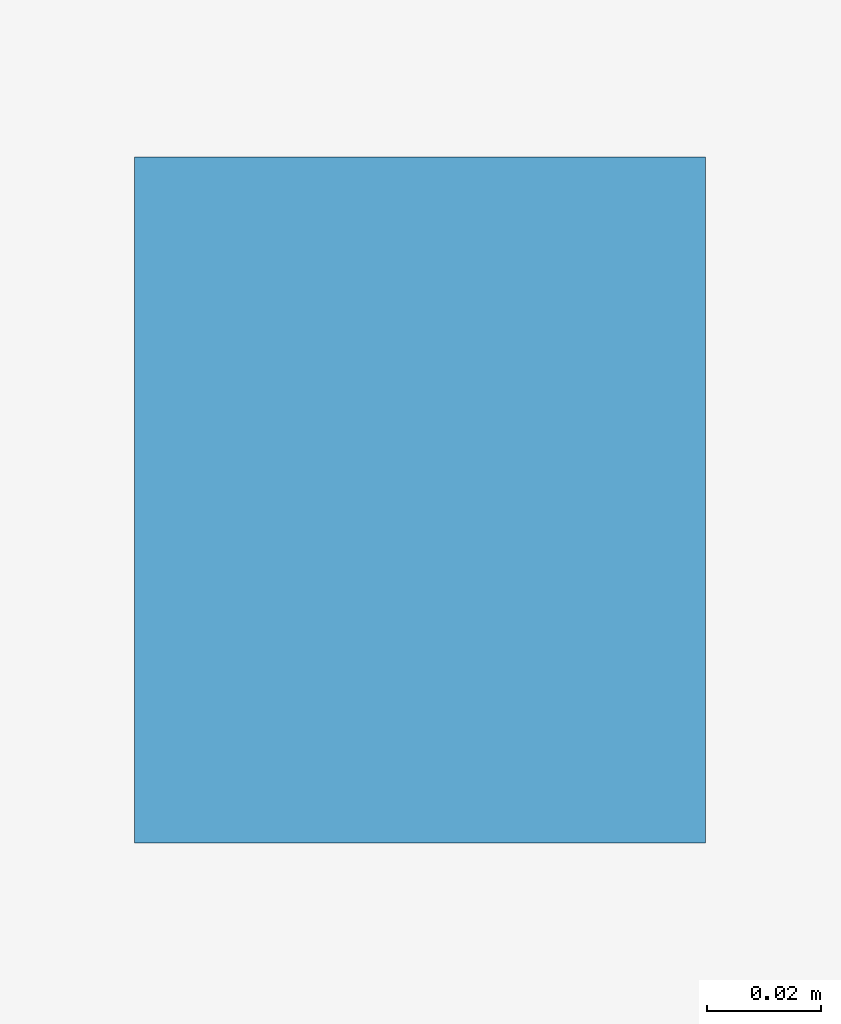
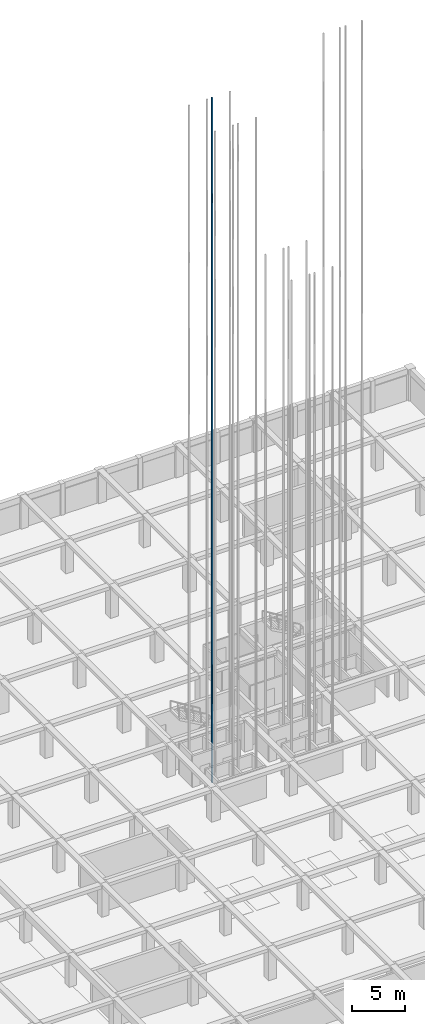
# One storey, part 31 of 47: 1 discrete accessory.
"""IFC4 building model written with IfcOpenShell, lengths in metres."""

from ifc_helpers import new_model, si_unit, direction, frame, origin, origin_2d, place, context, subcontext, project, spatial, rectangle, extrude, material, layer, layer_set, type_object, element, save


model = new_model("IFC4")

# Units and contexts
model_context = context("Model", 3, precision=1e-05, world=origin(), true_north=direction((0.0, 1.0)))
body_context = subcontext(model_context, "Body", "Model", "MODEL_VIEW")
ifc_project = project(units=[si_unit("LENGTHUNIT", "METRE"), si_unit("AREAUNIT", "SQUARE_METRE"), si_unit("VOLUMEUNIT", "CUBIC_METRE"), si_unit("PLANEANGLEUNIT", "RADIAN"), si_unit("MASSUNIT", "GRAM", prefix="KILO")], contexts=[model_context])

# Site, building, storey
site_placement = place(None, origin())
site = spatial("IfcSite", under=ifc_project, at=site_placement, CompositionType="ELEMENT")
building_placement = place(site_placement, origin())
building = spatial("IfcBuilding", under=site, at=building_placement, Name="Almacenes y Pasaje Nevantli", CompositionType="ELEMENT")
storey_placement = place(building_placement, frame((0.0, 0.0, -8.10009765625)))
storey = spatial("IfcBuildingStorey", under=building, at=storey_placement, Name="B02", CompositionType="ELEMENT", Elevation=-8.10009765625)

# Discrete accessory
ifc_material = material(Name="Steel ASTM A36", Category="steel")
ifc_layer = layer(ifc_material, 0.1201171875)
ifc_layer_set = layer_set([ifc_layer], Name="Steel ASTM A36")
discrete_accessory_type = type_object("IfcDiscreteAccessoryType", Name="ACC-LIFT-RAIL", PredefinedType="BRACKET", material=ifc_layer_set)
discrete_accessory_placement = place(storey_placement, frame((121.27001953125, 73.85009765625, -1.199951171875), z_axis=(0.0, 0.0, 1.0), x_axis=(1.0, 0.0, 0.0)))
element("IfcDiscreteAccessory", 1, at=discrete_accessory_placement, inside=storey, type_object=discrete_accessory_type, Name="Elevator Steel T-Section Guide Rail ELV-P08-W", PredefinedType="BRACKET", context=body_context, shape_type="SweptSolid", body=[
    extrude(rectangle(XDim=0.10009765625, YDim=0.1201171875, at=origin_2d()), origin(), (0.0, 0.0, 1.0), 78.5),
])

save(model, "model.ifc")
